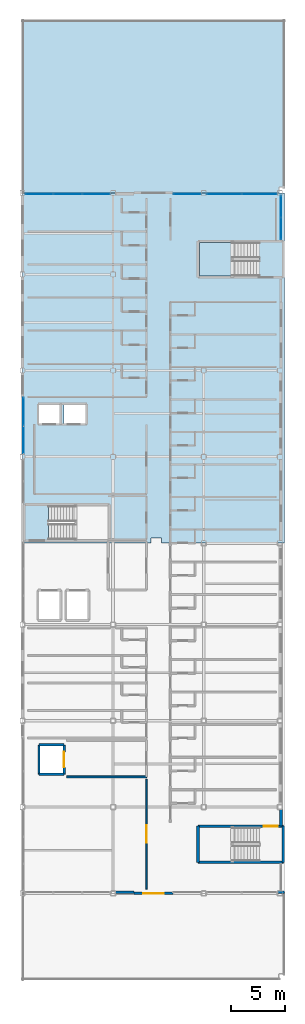
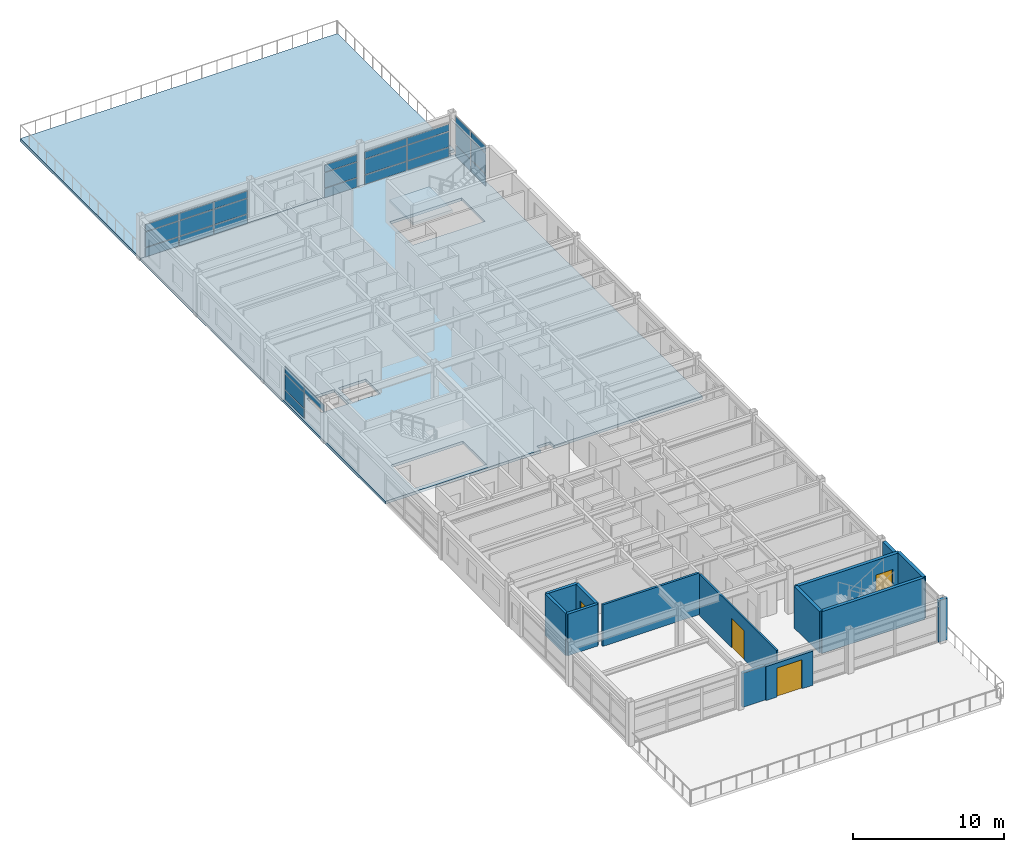
# One storey, part 19 of 28: 28 plates, 14 walls, 4 doors, 3 slabs, 4 openings, 6 elements without a shape of their own.
"""IFC4 building model written with IfcOpenShell, lengths in metres."""

import ifcopenshell
import ifcopenshell.guid

model = None  # the IFC model being written
_history = None  # IfcOwnerHistory: only IFC2X3 demands one
_inside = {}  # id of a spatial element -> (the spatial element, [elements in it])
_under = {}  # id of a project, library or spatial element -> (it, [spatial elements below it])
_declared = {}  # id of a project -> (the project, [libraries it declares])
_typed = {}  # id of a type object -> (the type object, [elements of that type])
_made_of = {}  # id of a material, layer set ... -> (it, [elements and type objects made of it])


def new_model(schema):
    """Start an empty IFC model of exactly this schema.

    Asked for "IFC4X3", IfcOpenShell would pick the latest addendum, in which some entities
    have other attributes; the version numbers below select the first issue.
    IFC2X3 requires an IfcOwnerHistory on every rooted entity: one is made here for all.
    """
    global model, _history
    if schema == "IFC4X3":
        model = ifcopenshell.file(schema_version=(4, 3, 0, 0))
    else:
        model = ifcopenshell.file(schema=schema)
    _inside.clear()
    _under.clear()
    _declared.clear()
    _typed.clear()
    _made_of.clear()
    _history = None
    if model.schema == "IFC2X3":
        org = make("IfcOrganization", Name="unknown")
        user = make(
            "IfcPersonAndOrganization",
            ThePerson=make("IfcPerson", FamilyName="unknown"),
            TheOrganization=org,
        )
        app = make(
            "IfcApplication",
            ApplicationDeveloper=org,
            Version="unknown",
            ApplicationFullName="unknown",
            ApplicationIdentifier="unknown",
        )
        _history = make(
            "IfcOwnerHistory",
            OwningUser=user,
            OwningApplication=app,
            ChangeAction="ADDED",
            CreationDate=0,
        )
    return model


def make(cls, **values):
    """One entity of the class cls with the attributes given. An attribute that is None is left unset."""
    return model.create_entity(
        cls, **{name: value for name, value in values.items() if value is not None}
    )


def rooted(cls, **values):
    """An entity with a GlobalId (a new one), such as an element, a storey or a relation."""
    return make(cls, GlobalId=ifcopenshell.guid.new(), OwnerHistory=_history, **values)


def si_unit(unit_type, name, prefix=None):
    """IfcSIUnit, for example si_unit("LENGTHUNIT", "METRE", prefix="MILLI")."""
    return make("IfcSIUnit", UnitType=unit_type, Prefix=prefix, Name=name)


def assignment(units):
    """IfcUnitAssignment: the units of a project."""
    return None if units is None else make("IfcUnitAssignment", Units=units)


def point(xyz):
    """IfcCartesianPoint."""
    return None if xyz is None else make("IfcCartesianPoint", Coordinates=xyz)


def direction(xyz):
    """IfcDirection."""
    return None if xyz is None else make("IfcDirection", DirectionRatios=xyz)


def frame(location, z_axis=None, x_axis=None):
    """IfcAxis2Placement3D, a coordinate frame: its origin and axes. An axis left out is left unset."""
    return make(
        "IfcAxis2Placement3D",
        Location=point(location),
        Axis=direction(z_axis),
        RefDirection=direction(x_axis),
    )


def frame_2d(location, x_axis=None):
    """IfcAxis2Placement2D, a coordinate frame in the plane: its origin and x axis."""
    return make(
        "IfcAxis2Placement2D", Location=point(location), RefDirection=direction(x_axis)
    )


def origin():
    """The frame at (0, 0, 0) with its axes left unset."""
    return frame((0.0, 0.0, 0.0))


def origin_2d():
    """The frame at (0, 0) in the plane with its x axis left unset."""
    return frame_2d((0.0, 0.0))


def place(relative_to, where):
    """IfcLocalPlacement: puts the frame where relative to a parent placement (None: the world)."""
    return make(
        "IfcLocalPlacement", PlacementRelTo=relative_to, RelativePlacement=where
    )


def context(
    kind, dimensions, precision=None, world=None, true_north=None, identifier=None
):
    """IfcGeometricRepresentationContext, for example the 3D "Model" context."""
    return make(
        "IfcGeometricRepresentationContext",
        ContextIdentifier=identifier,
        ContextType=kind,
        CoordinateSpaceDimension=dimensions,
        Precision=precision,
        WorldCoordinateSystem=world,
        TrueNorth=true_north,
    )


def subcontext(parent, identifier, kind, view, scale=None):
    """IfcGeometricRepresentationSubContext, for example "Body" below "Model"."""
    return make(
        "IfcGeometricRepresentationSubContext",
        ContextIdentifier=identifier,
        ContextType=kind,
        ParentContext=parent,
        TargetScale=scale,
        TargetView=view,
    )


def project(units=None, contexts=None):
    """IfcProject with its units and contexts."""
    return rooted(
        "IfcProject",
        Name="project",
        RepresentationContexts=contexts,
        UnitsInContext=assignment(units),
    )


def spatial(cls, under=None, at=None, **own):
    """A site, building, storey or space (cls), placed at a placement, below another one or the project."""
    s = rooted(cls, ObjectPlacement=at, **own)
    if under is not None:
        _under.setdefault(under.id(), (under, []))[1].append(s)
    return s


def polyline(points):
    """IfcPolyline through the points."""
    return make("IfcPolyline", Points=[point(p) for p in points])


def profile(cls, at=None, kind="AREA", **sizes):
    """A parametric profile (cls). Its sizes go by their IFC names, for example OverallWidth=200.0."""
    return make(cls, ProfileType=kind, Position=at, **sizes)


def rectangle(**sizes):
    """IfcRectangleProfileDef."""
    return profile("IfcRectangleProfileDef", **sizes)


def outline(outer, holes=None, kind="AREA"):
    """IfcArbitraryClosedProfileDef: a profile drawn as a closed curve; with holes, ...WithVoids."""
    if holes is None:
        return make("IfcArbitraryClosedProfileDef", ProfileType=kind, OuterCurve=outer)
    return make(
        "IfcArbitraryProfileDefWithVoids",
        ProfileType=kind,
        OuterCurve=outer,
        InnerCurves=holes,
    )


def extrude(swept, where, along, depth):
    """IfcExtrudedAreaSolid: the profile swept, set in the frame where, extruded along a direction by depth."""
    return make(
        "IfcExtrudedAreaSolid",
        SweptArea=swept,
        Position=where,
        ExtrudedDirection=direction(along),
        Depth=depth,
    )


def shape(context_of_items, identifier, shape_type, items):
    """IfcShapeRepresentation: the items that make up one representation, for example the "Body"."""
    return make(
        "IfcShapeRepresentation",
        ContextOfItems=context_of_items,
        RepresentationIdentifier=identifier,
        RepresentationType=shape_type,
        Items=items,
    )


def material(Name=None, Category=None):
    """IfcMaterial."""
    return make("IfcMaterial", Name=Name, Category=Category)


def layer(
    of_material, thickness, ventilated=None, Name=None, Category=None, Priority=None
):
    """IfcMaterialLayer: one layer of a wall or slab, of a material (None: an air gap)."""
    return make(
        "IfcMaterialLayer",
        Material=of_material,
        LayerThickness=thickness,
        IsVentilated=ventilated,
        Name=Name,
        Category=Category,
        Priority=Priority,
    )


def layer_set(layers, Name=None):
    """IfcMaterialLayerSet."""
    return make("IfcMaterialLayerSet", MaterialLayers=layers, LayerSetName=Name)


def made_of(thing, what):
    """Note that an element or type object is made of a material, layer set ...; save() writes the relation."""
    if what is not None:
        _made_of.setdefault(what.id(), (what, []))[1].append(thing)
    return thing


def type_object(cls, material=None, **own):
    """A type object (cls), such as IfcWallType, which elements share."""
    return made_of(rooted(cls, **own), material)


def element(
    cls,
    number,
    at=None,
    inside=None,
    cuts=None,
    type_object=None,
    material=None,
    context=None,
    identifier="Body",
    shape_type=None,
    held_by="IfcProductDefinitionShape",
    body=None,
    shapes=None,
    **own,
):
    """One element of the class cls, such as IfcWall. Its Tag is "e" and its number.

    at: its placement. inside: the storey or other place that contains it. cuts: it is an
    opening in that element (IfcRelVoidsElement). A single representation is given by context,
    identifier, shape_type and body (its items); several are given by shapes. held_by: the class
    of the entity that holds the representations. save() writes the other relations.
    """
    e = rooted(cls, Tag="e%d" % number, ObjectPlacement=at, **own)
    if body is not None:
        shapes = [shape(context, identifier, shape_type, body)]
    if shapes is not None:
        e.Representation = make(held_by, Representations=shapes)
    if inside is not None:
        _inside.setdefault(inside.id(), (inside, []))[1].append(e)
    if cuts is not None:
        rooted(
            "IfcRelVoidsElement", RelatingBuildingElement=cuts, RelatedOpeningElement=e
        )
    if type_object is not None:
        _typed.setdefault(type_object.id(), (type_object, []))[1].append(e)
    return made_of(e, material)


def fill(opening, filler):
    """IfcRelFillsElement: the door or window that sits in an opening."""
    return rooted(
        "IfcRelFillsElement",
        RelatingOpeningElement=opening,
        RelatedBuildingElement=filler,
    )


def aggregate(whole, parts):
    """IfcRelAggregates: a whole, such as a stair, and the parts it consists of."""
    return rooted("IfcRelAggregates", RelatingObject=whole, RelatedObjects=parts)


def save(model, path):
    """Write the relations noted so far, then the file.

    IfcRelAggregates (storeys below a building ...), IfcRelContainedInSpatialStructure (elements
    in a storey), IfcRelDefinesByType, IfcRelAssociatesMaterial and IfcRelDeclares: one each for
    every whole, place, type object, material and project.
    """
    for whole, parts in _under.values():
        aggregate(whole, parts)
    for where, things in _inside.values():
        rooted(
            "IfcRelContainedInSpatialStructure",
            RelatedElements=things,
            RelatingStructure=where,
        )
    for kind, things in _typed.values():
        rooted("IfcRelDefinesByType", RelatedObjects=things, RelatingType=kind)
    for what, things in _made_of.values():
        rooted("IfcRelAssociatesMaterial", RelatedObjects=things, RelatingMaterial=what)
    for by, libraries in _declared.values():
        rooted("IfcRelDeclares", RelatingContext=by, RelatedDefinitions=libraries)
    model.write(path)


model = new_model("IFC4")

# Units and contexts
model_context = context("Model", 3, precision=1e-05, world=origin(), true_north=direction((0.0, 1.0)))
body_context = subcontext(model_context, "Body", "Model", "MODEL_VIEW")
ifc_project = project(units=[si_unit("LENGTHUNIT", "METRE"), si_unit("AREAUNIT", "SQUARE_METRE"), si_unit("VOLUMEUNIT", "CUBIC_METRE"), si_unit("PLANEANGLEUNIT", "RADIAN"), si_unit("MASSUNIT", "GRAM", prefix="KILO")], contexts=[model_context])

# Site, building, storey
site_placement = place(None, origin())
site = spatial("IfcSite", under=ifc_project, at=site_placement, CompositionType="ELEMENT")
building_placement = place(site_placement, origin())
building = spatial("IfcBuilding", under=site, at=building_placement, Name="Kazehara Bluff Congress Hotel", CompositionType="ELEMENT")
storey_placement = place(building_placement, frame((0.0, 0.0, 42.60009765625)))
storey = spatial("IfcBuildingStorey", under=building, at=storey_placement, Name="L10", CompositionType="ELEMENT", Elevation=42.60009765625)

# Curtain wall, plates
ifc_material_1 = material(Name="Anodised aluminium", Category="aluminium")
ifc_layer_1 = layer(ifc_material_1, 0.159912109375)
ifc_layer_set_1 = layer_set([ifc_layer_1], Name="Anodised aluminium")
curtain_wall_type_1 = type_object("IfcCurtainWallType", Name="TP-CW-196", PredefinedType="NOTDEFINED", material=ifc_layer_set_1)
curtain_wall_1_placement = place(storey_placement, origin())
curtain_wall_1 = element("IfcCurtainWall", 1, at=curtain_wall_1_placement, inside=storey, type_object=curtain_wall_type_1, Name="L10 curtain wall CW-196 CW-ENC-V5-L10-14790-8080", PredefinedType="NOTDEFINED")
ifc_material_2 = material(Name="Insulated low-E double glazing", Category="glass")
ifc_layer_2 = layer(ifc_material_2, 0.028076171875)
ifc_layer_set_2 = layer_set([ifc_layer_2], Name="Insulated low-E double glazing")
plate_type_1 = type_object("IfcPlateType", Name="TP-CWP-01", PredefinedType="CURTAIN_PANEL", material=ifc_layer_set_2)
plate_1_placement = place(storey_placement, frame((145.266357421875, 80.800048828125, 0.06494140625), z_axis=(0.0, 0.0, 1.0), x_axis=(1.0, 0.0, 0.0)))
plate_1 = element("IfcPlate", 2, at=plate_1_placement, type_object=plate_type_1, Name="CW-196 panel 1.1", PredefinedType="CURTAIN_PANEL", context=body_context, shape_type="SweptSolid", body=[
    extrude(rectangle(XDim=2.552490234375, YDim=0.028076171875, at=origin_2d()), origin(), (0.0, 0.0, 1.0), 0.7275390625),
])
plate_2_placement = place(storey_placement, frame((145.266357421875, 80.800048828125, 0.857421875), z_axis=(0.0, 0.0, 1.0), x_axis=(1.0, 0.0, 0.0)))
plate_2 = element("IfcPlate", 3, at=plate_2_placement, type_object=plate_type_1, Name="CW-196 panel 1.2", PredefinedType="CURTAIN_PANEL", context=body_context, shape_type="SweptSolid", body=[
    extrude(rectangle(XDim=2.552490234375, YDim=0.028076171875, at=origin_2d()), origin(), (0.0, 0.0, 1.0), 1.215087890625),
])
plate_3_placement = place(storey_placement, frame((145.266357421875, 80.800048828125, 2.13720703125), z_axis=(0.0, 0.0, 1.0), x_axis=(1.0, 0.0, 0.0)))
plate_3 = element("IfcPlate", 4, at=plate_3_placement, type_object=plate_type_1, Name="CW-196 panel 1.3", PredefinedType="CURTAIN_PANEL", context=body_context, shape_type="SweptSolid", body=[
    extrude(rectangle(XDim=2.552490234375, YDim=0.028076171875, at=origin_2d()), origin(), (0.0, 0.0, 1.0), 0.552490234375),
])
plate_4_placement = place(storey_placement, frame((147.89990234375, 80.800048828125, 0.06494140625), z_axis=(0.0, 0.0, 1.0), x_axis=(1.0, 0.0, 0.0)))
plate_4 = element("IfcPlate", 5, at=plate_4_placement, type_object=plate_type_1, Name="CW-196 panel 2.1", PredefinedType="CURTAIN_PANEL", context=body_context, shape_type="SweptSolid", body=[
    extrude(rectangle(XDim=2.5849609375, YDim=0.028076171875, at=origin_2d()), origin(), (0.0, 0.0, 1.0), 0.7275390625),
])
plate_5_placement = place(storey_placement, frame((147.89990234375, 80.800048828125, 0.857421875), z_axis=(0.0, 0.0, 1.0), x_axis=(1.0, 0.0, 0.0)))
plate_5 = element("IfcPlate", 6, at=plate_5_placement, type_object=plate_type_1, Name="CW-196 panel 2.2", PredefinedType="CURTAIN_PANEL", context=body_context, shape_type="SweptSolid", body=[
    extrude(rectangle(XDim=2.5849609375, YDim=0.028076171875, at=origin_2d()), origin(), (0.0, 0.0, 1.0), 1.215087890625),
])
plate_6_placement = place(storey_placement, frame((147.89990234375, 80.800048828125, 2.13720703125), z_axis=(0.0, 0.0, 1.0), x_axis=(1.0, 0.0, 0.0)))
plate_6 = element("IfcPlate", 7, at=plate_6_placement, type_object=plate_type_1, Name="CW-196 panel 2.3", PredefinedType="CURTAIN_PANEL", context=body_context, shape_type="SweptSolid", body=[
    extrude(rectangle(XDim=2.5849609375, YDim=0.028076171875, at=origin_2d()), origin(), (0.0, 0.0, 1.0), 0.552490234375),
])
plate_7_placement = place(storey_placement, frame((150.53369140625, 80.800048828125, 0.06494140625), z_axis=(0.0, 0.0, 1.0), x_axis=(1.0, 0.0, 0.0)))
plate_7 = element("IfcPlate", 8, at=plate_7_placement, type_object=plate_type_1, Name="CW-196 panel 3.1", PredefinedType="CURTAIN_PANEL", context=body_context, shape_type="SweptSolid", body=[
    extrude(rectangle(XDim=2.552490234375, YDim=0.028076171875, at=origin_2d()), origin(), (0.0, 0.0, 1.0), 0.7275390625),
])
plate_8_placement = place(storey_placement, frame((150.53369140625, 80.800048828125, 0.857421875), z_axis=(0.0, 0.0, 1.0), x_axis=(1.0, 0.0, 0.0)))
plate_8 = element("IfcPlate", 9, at=plate_8_placement, type_object=plate_type_1, Name="CW-196 panel 3.2", PredefinedType="CURTAIN_PANEL", context=body_context, shape_type="SweptSolid", body=[
    extrude(rectangle(XDim=2.552490234375, YDim=0.028076171875, at=origin_2d()), origin(), (0.0, 0.0, 1.0), 1.215087890625),
])
plate_9_placement = place(storey_placement, frame((150.53369140625, 80.800048828125, 2.13720703125), z_axis=(0.0, 0.0, 1.0), x_axis=(1.0, 0.0, 0.0)))
plate_9 = element("IfcPlate", 10, at=plate_9_placement, type_object=plate_type_1, Name="CW-196 panel 3.3", PredefinedType="CURTAIN_PANEL", context=body_context, shape_type="SweptSolid", body=[
    extrude(rectangle(XDim=2.552490234375, YDim=0.028076171875, at=origin_2d()), origin(), (0.0, 0.0, 1.0), 0.552490234375),
])
aggregate(curtain_wall_1, [plate_1, plate_2, plate_3, plate_4, plate_5, plate_6, plate_7, plate_8, plate_9])

ifc_material_3 = material(Name="Anodised aluminium", Category="aluminium")
ifc_layer_3 = layer(ifc_material_3, 0.159912109375)
ifc_layer_set_3 = layer_set([ifc_layer_3], Name="Anodised aluminium")
curtain_wall_type_2 = type_object("IfcCurtainWallType", Name="TP-CW-188", PredefinedType="NOTDEFINED", material=ifc_layer_set_3)
curtain_wall_2_placement = place(storey_placement, origin())
curtain_wall_2 = element("IfcCurtainWall", 11, at=curtain_wall_2_placement, inside=storey, type_object=curtain_wall_type_2, Name="L10 curtain wall CW-188 CW-ENC-V5-L10-16402-8080", PredefinedType="NOTDEFINED")
plate_10_placement = place(storey_placement, frame((162.391357421875, 80.800048828125, 0.06494140625), z_axis=(0.0, 0.0, 1.0), x_axis=(1.0, 0.0, 0.0)))
plate_10 = element("IfcPlate", 12, at=plate_10_placement, type_object=plate_type_1, Name="CW-188 panel 1.1", PredefinedType="CURTAIN_PANEL", context=body_context, shape_type="SweptSolid", body=[
    extrude(rectangle(XDim=3.202392578125, YDim=0.028076171875, at=origin_2d()), origin(), (0.0, 0.0, 1.0), 0.7275390625),
])
plate_11_placement = place(storey_placement, frame((162.391357421875, 80.800048828125, 0.857421875), z_axis=(0.0, 0.0, 1.0), x_axis=(1.0, 0.0, 0.0)))
plate_11 = element("IfcPlate", 13, at=plate_11_placement, type_object=plate_type_1, Name="CW-188 panel 1.2", PredefinedType="CURTAIN_PANEL", context=body_context, shape_type="SweptSolid", body=[
    extrude(rectangle(XDim=3.202392578125, YDim=0.028076171875, at=origin_2d()), origin(), (0.0, 0.0, 1.0), 1.215087890625),
])
plate_12_placement = place(storey_placement, frame((162.391357421875, 80.800048828125, 2.13720703125), z_axis=(0.0, 0.0, 1.0), x_axis=(1.0, 0.0, 0.0)))
plate_12 = element("IfcPlate", 14, at=plate_12_placement, type_object=plate_type_1, Name="CW-188 panel 1.3", PredefinedType="CURTAIN_PANEL", context=body_context, shape_type="SweptSolid", body=[
    extrude(rectangle(XDim=3.202392578125, YDim=0.028076171875, at=origin_2d()), origin(), (0.0, 0.0, 1.0), 0.552490234375),
])
plate_13_placement = place(storey_placement, frame((165.65869140625, 80.800048828125, 0.06494140625), z_axis=(0.0, 0.0, 1.0), x_axis=(1.0, 0.0, 0.0)))
plate_13 = element("IfcPlate", 15, at=plate_13_placement, type_object=plate_type_1, Name="CW-188 panel 2.1", PredefinedType="CURTAIN_PANEL", context=body_context, shape_type="SweptSolid", body=[
    extrude(rectangle(XDim=3.202392578125, YDim=0.028076171875, at=origin_2d()), origin(), (0.0, 0.0, 1.0), 0.7275390625),
])
plate_14_placement = place(storey_placement, frame((165.65869140625, 80.800048828125, 0.857421875), z_axis=(0.0, 0.0, 1.0), x_axis=(1.0, 0.0, 0.0)))
plate_14 = element("IfcPlate", 16, at=plate_14_placement, type_object=plate_type_1, Name="CW-188 panel 2.2", PredefinedType="CURTAIN_PANEL", context=body_context, shape_type="SweptSolid", body=[
    extrude(rectangle(XDim=3.202392578125, YDim=0.028076171875, at=origin_2d()), origin(), (0.0, 0.0, 1.0), 1.215087890625),
])
plate_15_placement = place(storey_placement, frame((165.65869140625, 80.800048828125, 2.13720703125), z_axis=(0.0, 0.0, 1.0), x_axis=(1.0, 0.0, 0.0)))
plate_15 = element("IfcPlate", 17, at=plate_15_placement, type_object=plate_type_1, Name="CW-188 panel 2.3", PredefinedType="CURTAIN_PANEL", context=body_context, shape_type="SweptSolid", body=[
    extrude(rectangle(XDim=3.202392578125, YDim=0.028076171875, at=origin_2d()), origin(), (0.0, 0.0, 1.0), 0.552490234375),
])
aggregate(curtain_wall_2, [plate_10, plate_11, plate_12, plate_13, plate_14, plate_15])

ifc_material_4 = material(Name="Anodised aluminium", Category="aluminium")
ifc_layer_4 = layer(ifc_material_4, 0.159912109375)
ifc_layer_set_4 = layer_set([ifc_layer_4], Name="Anodised aluminium")
curtain_wall_type_3 = type_object("IfcCurtainWallType", Name="TP-CW-205", PredefinedType="NOTDEFINED", material=ifc_layer_set_4)
curtain_wall_3_placement = place(storey_placement, origin())
curtain_wall_3 = element("IfcCurtainWall", 18, at=curtain_wall_3_placement, inside=storey, type_object=curtain_wall_type_3, Name="L10 curtain wall CW-205 CW-ENC-V5-L10-14380-5934", PredefinedType="NOTDEFINED")
plate_16_placement = place(storey_placement, frame((143.800048828125, 58.021240234375, 2.184814453125), z_axis=(0.0, 0.0, 1.0), x_axis=(0.0, 1.0, 0.0)))
plate_16 = element("IfcPlate", 19, at=plate_16_placement, type_object=plate_type_1, Name="CW-205 panel 1.3", PredefinedType="CURTAIN_PANEL", context=body_context, shape_type="SweptSolid", body=[
    extrude(rectangle(XDim=2.572509765625, YDim=0.028076171875, at=origin_2d()), origin(), (0.0, 0.0, 1.0), 0.56005859375),
])
plate_17_placement = place(storey_placement, frame((143.800048828125, 60.65380859375, 0.059814453125), z_axis=(0.0, 0.0, 1.0), x_axis=(0.0, 1.0, 0.0)))
plate_17 = element("IfcPlate", 20, at=plate_17_placement, type_object=plate_type_1, Name="CW-205 panel 2.1", PredefinedType="CURTAIN_PANEL", context=body_context, shape_type="SweptSolid", body=[
    extrude(rectangle(XDim=2.572509765625, YDim=0.028076171875, at=origin_2d()), origin(), (0.0, 0.0, 1.0), 0.75),
])
plate_18_placement = place(storey_placement, frame((143.800048828125, 60.65380859375, 0.869873046875), z_axis=(0.0, 0.0, 1.0), x_axis=(0.0, 1.0, 0.0)))
plate_18 = element("IfcPlate", 21, at=plate_18_placement, type_object=plate_type_1, Name="CW-205 panel 2.2", PredefinedType="CURTAIN_PANEL", context=body_context, shape_type="SweptSolid", body=[
    extrude(rectangle(XDim=2.572509765625, YDim=0.028076171875, at=origin_2d()), origin(), (0.0, 0.0, 1.0), 1.2548828125),
])
plate_19_placement = place(storey_placement, frame((143.800048828125, 60.65380859375, 2.184814453125), z_axis=(0.0, 0.0, 1.0), x_axis=(0.0, 1.0, 0.0)))
plate_19 = element("IfcPlate", 22, at=plate_19_placement, type_object=plate_type_1, Name="CW-205 panel 2.3", PredefinedType="CURTAIN_PANEL", context=body_context, shape_type="SweptSolid", body=[
    extrude(rectangle(XDim=2.572509765625, YDim=0.028076171875, at=origin_2d()), origin(), (0.0, 0.0, 1.0), 0.56005859375),
])
aggregate(curtain_wall_3, [plate_16, plate_17, plate_18, plate_19])

ifc_material_5 = material(Name="Anodised aluminium", Category="aluminium")
ifc_layer_5 = layer(ifc_material_5, 0.159912109375)
ifc_layer_set_5 = layer_set([ifc_layer_5], Name="Anodised aluminium")
curtain_wall_type_4 = type_object("IfcCurtainWallType", Name="TP-CW-200", PredefinedType="NOTDEFINED", material=ifc_layer_set_5)
curtain_wall_4_placement = place(storey_placement, origin())
curtain_wall_4 = element("IfcCurtainWall", 23, at=curtain_wall_4_placement, inside=storey, type_object=curtain_wall_type_4, Name="L10 curtain wall CW-200 CW-ENC-V5-L10-16765-7862", PredefinedType="NOTDEFINED")
ifc_material_6 = material(Name="Insulated low-E double glazing", Category="glass")
ifc_layer_6 = layer(ifc_material_6, 0.02001953125)
ifc_layer_set_6 = layer_set([ifc_layer_6], Name="Insulated low-E double glazing")
plate_type_2 = type_object("IfcPlateType", Name="TP-CWP-03", PredefinedType="CURTAIN_PANEL", material=ifc_layer_set_6)
plate_20_placement = place(storey_placement, frame((167.64990234375, 79.63134765625, 0.06005859375), z_axis=(0.0, 0.0, 1.0), x_axis=(0.0, -1.0, 0.0)))
plate_20 = element("IfcPlate", 24, at=plate_20_placement, type_object=plate_type_2, Name="CW-200 panel 1.1", PredefinedType="CURTAIN_PANEL", context=body_context, shape_type="SweptSolid", body=[
    extrude(rectangle(XDim=1.967529296875, YDim=0.02001953125, at=origin_2d()), origin(), (0.0, 0.0, 1.0), 0.919921875),
])
plate_21_placement = place(storey_placement, frame((167.64990234375, 79.63134765625, 1.039794921875), z_axis=(0.0, 0.0, 1.0), x_axis=(0.0, -1.0, 0.0)))
plate_21 = element("IfcPlate", 25, at=plate_21_placement, type_object=plate_type_2, Name="CW-200 panel 1.2", PredefinedType="CURTAIN_PANEL", context=body_context, shape_type="SweptSolid", body=[
    extrude(rectangle(XDim=1.967529296875, YDim=0.02001953125, at=origin_2d()), origin(), (0.0, 0.0, 1.0), 1.64501953125),
])
plate_22_placement = place(storey_placement, frame((167.64990234375, 79.63134765625, 2.744873046875), z_axis=(0.0, 0.0, 1.0), x_axis=(0.0, -1.0, 0.0)))
plate_22 = element("IfcPlate", 26, at=plate_22_placement, type_object=plate_type_2, Name="CW-200 panel 1.3", PredefinedType="CURTAIN_PANEL", context=body_context, shape_type="SweptSolid", body=[
    extrude(rectangle(XDim=1.967529296875, YDim=0.02001953125, at=origin_2d()), origin(), (0.0, 0.0, 1.0), 0.56005859375),
])
plate_23_placement = place(storey_placement, frame((167.64990234375, 77.603759765625, 0.06005859375), z_axis=(0.0, 0.0, 1.0), x_axis=(0.0, -1.0, 0.0)))
plate_23 = element("IfcPlate", 27, at=plate_23_placement, type_object=plate_type_2, Name="CW-200 panel 2.1", PredefinedType="CURTAIN_PANEL", context=body_context, shape_type="SweptSolid", body=[
    extrude(rectangle(XDim=1.967529296875, YDim=0.02001953125, at=origin_2d()), origin(), (0.0, 0.0, 1.0), 0.919921875),
])
plate_24_placement = place(storey_placement, frame((167.64990234375, 77.603759765625, 1.039794921875), z_axis=(0.0, 0.0, 1.0), x_axis=(0.0, -1.0, 0.0)))
plate_24 = element("IfcPlate", 28, at=plate_24_placement, type_object=plate_type_2, Name="CW-200 panel 2.2", PredefinedType="CURTAIN_PANEL", context=body_context, shape_type="SweptSolid", body=[
    extrude(rectangle(XDim=1.967529296875, YDim=0.02001953125, at=origin_2d()), origin(), (0.0, 0.0, 1.0), 1.64501953125),
])
plate_25_placement = place(storey_placement, frame((167.64990234375, 77.603759765625, 2.744873046875), z_axis=(0.0, 0.0, 1.0), x_axis=(0.0, -1.0, 0.0)))
plate_25 = element("IfcPlate", 29, at=plate_25_placement, type_object=plate_type_2, Name="CW-200 panel 2.3", PredefinedType="CURTAIN_PANEL", context=body_context, shape_type="SweptSolid", body=[
    extrude(rectangle(XDim=1.967529296875, YDim=0.02001953125, at=origin_2d()), origin(), (0.0, 0.0, 1.0), 0.56005859375),
])
aggregate(curtain_wall_4, [plate_20, plate_21, plate_22, plate_23, plate_24, plate_25])

ifc_material_7 = material(Name="Anodised aluminium", Category="aluminium")
ifc_layer_7 = layer(ifc_material_7, 0.159912109375)
ifc_layer_set_7 = layer_set([ifc_layer_7], Name="Anodised aluminium")
curtain_wall_type_5 = type_object("IfcCurtainWallType", Name="TP-CW-197", PredefinedType="NOTDEFINED", material=ifc_layer_set_7)
curtain_wall_5_placement = place(storey_placement, origin())
curtain_wall_5 = element("IfcCurtainWall", 30, at=curtain_wall_5_placement, inside=storey, type_object=curtain_wall_type_5, Name="L10 curtain wall CW-197 CW-ENC-V5-L10-15896-8080", PredefinedType="NOTDEFINED")
plate_26_placement = place(storey_placement, frame((158.96240234375, 80.800048828125, 0.06005859375), z_axis=(0.0, 0.0, 1.0), x_axis=(1.0, 0.0, 0.0)))
plate_26 = element("IfcPlate", 31, at=plate_26_placement, type_object=plate_type_2, Name="CW-197 panel 1.1", PredefinedType="CURTAIN_PANEL", context=body_context, shape_type="SweptSolid", body=[
    extrude(rectangle(XDim=2.5048828125, YDim=0.02001953125, at=origin_2d()), origin(), (0.0, 0.0, 1.0), 0.735107421875),
])
plate_27_placement = place(storey_placement, frame((158.96240234375, 80.800048828125, 0.85498046875), z_axis=(0.0, 0.0, 1.0), x_axis=(1.0, 0.0, 0.0)))
plate_27 = element("IfcPlate", 32, at=plate_27_placement, type_object=plate_type_2, Name="CW-197 panel 1.2", PredefinedType="CURTAIN_PANEL", context=body_context, shape_type="SweptSolid", body=[
    extrude(rectangle(XDim=2.5048828125, YDim=0.02001953125, at=origin_2d()), origin(), (0.0, 0.0, 1.0), 1.219970703125),
])
plate_28_placement = place(storey_placement, frame((158.96240234375, 80.800048828125, 2.134765625), z_axis=(0.0, 0.0, 1.0), x_axis=(1.0, 0.0, 0.0)))
plate_28 = element("IfcPlate", 33, at=plate_28_placement, type_object=plate_type_2, Name="CW-197 panel 1.3", PredefinedType="CURTAIN_PANEL", context=body_context, shape_type="SweptSolid", body=[
    extrude(rectangle(XDim=2.5048828125, YDim=0.02001953125, at=origin_2d()), origin(), (0.0, 0.0, 1.0), 0.56005859375),
])
aggregate(curtain_wall_5, [plate_26, plate_27, plate_28])

# Slabs
ifc_material_8 = material(Name="Concrete C36/45", Category="concrete")
ifc_layer_8 = layer(ifc_material_8, 0.219970703125)
ifc_layer_set_8 = layer_set([ifc_layer_8], Name="Concrete C36/45")
slab_type_1 = type_object("IfcSlabType", Name="TP-SL-220", PredefinedType="FLOOR", material=ifc_layer_set_8)
slab_1_placement = place(storey_placement, frame((0.0, 0.0, -0.22021484375)))
element("IfcSlab", 34, at=slab_1_placement, inside=storey, type_object=slab_type_1, Name="L10 V5 composite floor slab N", PredefinedType="FLOOR", context=body_context, shape_type="SweptSolid", body=[
    extrude(outline(polyline([(168.0, 80.89990234375), (168.0, 48.449951171875), (156.60009765625, 48.449951171875), (156.60009765625, 48.949951171875), (155.60009765625, 48.949951171875), (155.60009765625, 48.449951171875), (143.699951171875, 48.449951171875), (143.699951171875, 80.89990234375), (168.0, 80.89990234375)]), holes=[polyline([(146.125, 48.800048828125), (151.64990234375, 48.800048828125), (151.64990234375, 51.89990234375), (146.125, 51.89990234375), (146.125, 48.800048828125)]), polyline([(165.625, 76.300048828125), (160.10009765625, 76.300048828125), (160.10009765625, 73.199951171875), (165.625, 73.199951171875), (165.625, 76.300048828125)]), polyline([(145.14990234375, 59.449951171875), (147.25, 59.449951171875), (147.25, 61.35009765625), (145.14990234375, 61.35009765625), (145.14990234375, 59.449951171875)]), polyline([(147.550048828125, 59.449951171875), (149.64990234375, 59.449951171875), (149.64990234375, 61.35009765625), (147.550048828125, 61.35009765625), (147.550048828125, 59.449951171875)])]), origin(), (0.0, 0.0, 1.0), 0.22021484375),
])
ifc_material_9 = material(Name="Concrete C36/45", Category="concrete")
ifc_layer_9 = layer(ifc_material_9, 0.219970703125)
ifc_layer_set_9 = layer_set([ifc_layer_9], Name="Concrete C36/45")
slab_type_2 = type_object("IfcSlabType", Name="TP-SL-TER", PredefinedType="FLOOR", material=ifc_layer_set_9)
slab_2_placement = place(storey_placement, frame((0.0, 0.0, -0.22021484375)))
element("IfcSlab", 35, at=slab_2_placement, inside=storey, type_object=slab_type_2, Name="Executive North Sky Terrace", PredefinedType="FLOOR", context=body_context, shape_type="SweptSolid", body=[
    extrude(outline(polyline([(143.699951171875, 80.89990234375), (167.5, 80.89990234375), (167.5, 81.39990234375), (168.0, 81.39990234375), (168.0, 96.89990234375), (143.699951171875, 96.89990234375), (143.699951171875, 80.89990234375)])), origin(), (0.0, 0.0, 1.0), 0.22021484375),
])

# Stair, slab
ifc_material_10 = material(Name="Concrete C36/45", Category="concrete")
stair_type = type_object("IfcStairType", Name="TP-ST-T03", PredefinedType="HALF_TURN_STAIR", material=ifc_material_10)
stair_placement = place(storey_placement, origin())
stair = element("IfcStair", 36, at=stair_placement, inside=storey, type_object=stair_type, Name="L10 Escape stair ST-12", PredefinedType="HALF_TURN_STAIR")
ifc_material_11 = material(Name="Concrete C36/45", Category="concrete")
ifc_layer_10 = layer(ifc_material_11, 0.199951171875)
ifc_layer_set_10 = layer_set([ifc_layer_10], Name="Concrete C36/45")
slab_type_3 = type_object("IfcSlabType", Name="TP-SLD-200", PredefinedType="LANDING", material=ifc_layer_set_10)
slab_3_placement = place(storey_placement, frame((0.0, 0.0, 1.599853515625)))
slab_3 = element("IfcSlab", 37, at=slab_3_placement, type_object=slab_type_3, Name="ST-12 landing 1", PredefinedType="LANDING", context=body_context, shape_type="SweptSolid", body=[
    extrude(outline(polyline([(163.1298828125, 76.300048828125), (160.10009765625, 76.300048828125), (160.10009765625, 73.199951171875), (163.1298828125, 73.199951171875), (163.1298828125, 76.300048828125)])), origin(), (0.0, 0.0, 1.0), 0.199951171875),
])
aggregate(stair, [slab_3])

# Walls
ifc_material_12 = material(Name="Concrete C40/50", Category="concrete")
ifc_layer_11 = layer(ifc_material_12, 0.25)
ifc_layer_set_11 = layer_set([ifc_layer_11], Name="Concrete C40/50")
wall_type_1 = type_object("IfcWallType", Name="TP-CW-RC", PredefinedType="SHEAR", material=ifc_layer_set_11)
for number, where, z_axis, x_axis, name in (
    (38, (167.875, 22.22509765625, 0.0), (0.0, 0.0, 1.0), (0.0, -1.0, 0.0), "L10 ST-10 core wall near"),
    (39, (159.97509765625, 18.875, 0.0), (0.0, 0.0, 1.0), (0.0, 1.0, 0.0), "L10 ST-10 core wall far"),
):
    element("IfcWall", number, at=place(storey_placement, frame(where, z_axis=z_axis, x_axis=x_axis)), inside=storey, type_object=wall_type_1, Name=name, PredefinedType="SHEAR", context=body_context, shape_type="SweptSolid", body=[
        extrude(rectangle(XDim=3.35009765625, YDim=0.25, at=frame_2d((1.675048828125, 0.0))), origin(), (0.0, 0.0, 1.0), 3.3798828125),
    ])

# Wall, opening, door
wall_1_placement = place(storey_placement, frame((159.97509765625, 22.22509765625, 0.0), z_axis=(0.0, 0.0, 1.0), x_axis=(1.0, 0.0, 0.0)))
wall_1 = element("IfcWall", 40, at=wall_1_placement, inside=storey, type_object=wall_type_1, Name="L10 ST-10 core wall left", PredefinedType="SHEAR", context=body_context, shape_type="SweptSolid", body=[
    extrude(rectangle(XDim=7.89990234375, YDim=0.25, at=frame_2d((3.949951171875, 0.0))), origin(), (0.0, 0.0, 1.0), 3.3798828125),
])
opening_1_placement = place(wall_1_placement, frame((6.074951171875, 0.0, 0.0)))
opening_1 = element("IfcOpeningElement", 41, at=opening_1_placement, cuts=wall_1, Name="Opening FD-01", PredefinedType="OPENING", context=body_context, shape_type="SweptSolid", body=[
    extrude(rectangle(XDim=1.300048828125, YDim=2.199951171875, at=frame_2d((0.64990234375, 1.10009765625))), frame((0.0, 0.135009765625, 0.0), z_axis=(0.0, -1.0, 0.0), x_axis=(1.0, 0.0, 0.0)), (0.0, 0.0, 1.0), 0.27001953125),
])
ifc_material_13 = material(Name="Fire-rated painted steel leaf", Category="steel")
door_type_1 = type_object("IfcDoorType", Name="TP-FD-01", OperationType="NOTDEFINED", PredefinedType="DOOR", material=ifc_material_13)
door_1_placement = place(opening_1_placement, origin())
door_1 = element("IfcDoor", 42, at=door_1_placement, inside=storey, type_object=door_type_1, Name="L10 ST-10 fire stair door", OperationType="SINGLE_SWING_RIGHT", OverallHeight=2.199951171875, OverallWidth=1.300048828125, PredefinedType="DOOR", context=body_context, shape_type="SweptSolid", body=[
    extrude(rectangle(XDim=1.300048828125, YDim=2.199951171875, at=frame_2d((0.64990234375, 1.10009765625))), frame((0.0, 0.02490234375, 0.0), z_axis=(0.0, -1.0, 0.0), x_axis=(1.0, 0.0, 0.0)), (0.0, 0.0, 1.0), 0.050048828125),
])
fill(opening_1, door_1)

# Wall
wall_2_placement = place(storey_placement, frame((167.875, 18.875, 0.0), z_axis=(0.0, 0.0, 1.0), x_axis=(-1.0, 0.0, 0.0)))
element("IfcWall", 43, at=wall_2_placement, inside=storey, type_object=wall_type_1, Name="L10 ST-10 core wall right", PredefinedType="SHEAR", context=body_context, shape_type="SweptSolid", body=[
    extrude(rectangle(XDim=7.89990234375, YDim=0.25, at=frame_2d((3.949951171875, 0.0))), origin(), (0.0, 0.0, 1.0), 3.3798828125),
])

# Wall, opening, door
ifc_material_14 = material(Name="Precast concrete C40/50", Category="concrete")
ifc_layer_12 = layer(ifc_material_14, 0.239990234375)
ifc_layer_set_12 = layer_set([ifc_layer_12], Name="Precast concrete C40/50")
wall_type_2 = type_object("IfcWallType", Name="TP-EW-240", PredefinedType="SOLIDWALL", material=ifc_layer_set_12)
wall_3_placement = place(storey_placement, frame((154.050048828125, 16.0, 0.0), z_axis=(0.0, 0.0, 1.0), x_axis=(1.0, 0.0, 0.0)))
wall_3 = element("IfcWall", 44, at=wall_3_placement, inside=storey, type_object=wall_type_2, Name="Executive South Sky Terrace access wall", PredefinedType="SOLIDWALL", context=body_context, shape_type="SweptSolid", body=[
    extrude(rectangle(XDim=3.599853515625, YDim=0.239990234375, at=frame_2d((1.7998046875, 0.0))), origin(), (0.0, 0.0, 1.0), 2.7548828125),
])
opening_2_placement = place(wall_3_placement, frame((0.85009765625, 0.0, 0.0)))
opening_2 = element("IfcOpeningElement", 45, at=opening_2_placement, cuts=wall_3, Name="Opening TD-02", PredefinedType="OPENING", context=body_context, shape_type="SweptSolid", body=[
    extrude(rectangle(XDim=1.89990234375, YDim=2.35009765625, at=frame_2d((0.949951171875, 1.175048828125))), frame((0.0, 0.1298828125, 0.0), z_axis=(0.0, -1.0, 0.0), x_axis=(1.0, 0.0, 0.0)), (0.0, 0.0, 1.0), 0.260009765625),
])
ifc_material_15 = material(Name="Anodised aluminium", Category="aluminium")
door_type_2 = type_object("IfcDoorType", Name="TP-TD-02", OperationType="SLIDING_TO_LEFT", PredefinedType="DOOR", material=ifc_material_15)
door_2_placement = place(opening_2_placement, origin())
door_2 = element("IfcDoor", 46, at=door_2_placement, inside=storey, type_object=door_type_2, Name="Executive South Sky Terrace terrace door", OperationType="SLIDING_TO_LEFT", OverallHeight=2.35009765625, OverallWidth=1.89990234375, PredefinedType="DOOR", context=body_context, shape_type="SweptSolid", body=[
    extrude(rectangle(XDim=1.89990234375, YDim=2.35009765625, at=frame_2d((0.949951171875, 1.175048828125))), frame((0.0, 0.02490234375, 0.0), z_axis=(0.0, -1.0, 0.0), x_axis=(1.0, 0.0, 0.0)), (0.0, 0.0, 1.0), 0.050048828125),
])
fill(opening_2, door_2)

# Walls
wall_4_placement = place(storey_placement, frame((154.050048828125, 16.10009765625, 0.0), z_axis=(0.0, 0.0, 1.0), x_axis=(-1.0, 0.0, 0.0)))
element("IfcWall", 47, at=wall_4_placement, inside=storey, type_object=wall_type_2, Name="L10 V5 perimeter spandrel pier 755", PredefinedType="SOLIDWALL", context=body_context, shape_type="SweptSolid", body=[
    extrude(rectangle(XDim=1.72509765625, YDim=0.239990234375, at=frame_2d((0.862548828125, 0.0))), origin(), (0.0, 0.0, 1.0), 2.7548828125),
])
wall_5_placement = place(storey_placement, frame((168.0, 16.10009765625, 0.0), z_axis=(0.0, 0.0, 1.0), x_axis=(-1.0, 0.0, 0.0)))
element("IfcWall", 48, at=wall_5_placement, inside=storey, type_object=wall_type_2, Name="L10 V5 perimeter spandrel pier 756", PredefinedType="SOLIDWALL", context=body_context, shape_type="SweptSolid", body=[
    extrude(rectangle(XDim=0.675048828125, YDim=0.239990234375, at=frame_2d((0.33740234375, 0.0))), origin(), (0.0, 0.0, 1.0), 3.364990234375),
])
ifc_material_16 = material(Name="Precast concrete C40/50", Category="concrete")
ifc_layer_13 = layer(ifc_material_16, 0.260009765625)
ifc_layer_set_13 = layer_set([ifc_layer_13], Name="Precast concrete C40/50")
wall_type_3 = type_object("IfcWallType", Name="TP-EW-260", PredefinedType="SOLIDWALL", material=ifc_layer_set_13)
wall_6_placement = place(storey_placement, frame((167.64990234375, 23.77490234375, 0.0), z_axis=(0.0, 0.0, 1.0), x_axis=(0.0, -1.0, 0.0)))
element("IfcWall", 49, at=wall_6_placement, inside=storey, type_object=wall_type_3, Name="L10 hotel facade panel 150", PredefinedType="SOLIDWALL", context=body_context, shape_type="SweptSolid", body=[
    extrude(rectangle(XDim=1.5498046875, YDim=0.260009765625, at=frame_2d((0.77490234375, 0.0))), origin(), (0.0, 0.0, 1.0), 3.364990234375),
])

# Wall, opening, door
ifc_material_17 = material(Name="Fire-rated gypsum board stud partition")
ifc_layer_14 = layer(ifc_material_17, 0.1298828125)
ifc_layer_set_14 = layer_set([ifc_layer_14], Name="Fire-rated gypsum board stud partition")
wall_type_4 = type_object("IfcWallType", Name="TP-PT-130", PredefinedType="PARTITIONING", material=ifc_layer_set_14)
wall_7_placement = place(storey_placement, frame((155.199951171875, 16.39990234375, 0.0), z_axis=(0.0, 0.0, 1.0), x_axis=(0.0, 1.0, 0.0)))
wall_7 = element("IfcWall", 50, at=wall_7_placement, inside=storey, type_object=wall_type_4, Name="L10 partition PT-130 1390", PredefinedType="PARTITIONING", context=body_context, shape_type="SweptSolid", body=[
    extrude(rectangle(XDim=10.2001953125, YDim=0.1298828125, at=frame_2d((5.10009765625, 0.0))), origin(), (0.0, 0.0, 1.0), 3.364990234375),
])
opening_3_placement = place(wall_7_placement, frame((4.27490234375, 0.0, 0.0)))
opening_3 = element("IfcOpeningElement", 51, at=opening_3_placement, cuts=wall_7, Name="Opening AD-04", PredefinedType="OPENING", context=body_context, shape_type="SweptSolid", body=[
    extrude(rectangle(XDim=1.64990234375, YDim=2.35009765625, at=frame_2d((0.824951171875, 1.175048828125))), frame((0.0, 0.074951171875, 0.0), z_axis=(0.0, -1.0, 0.0), x_axis=(1.0, 0.0, 0.0)), (0.0, 0.0, 1.0), 0.14990234375),
])
ifc_material_18 = material(Name="Architectural oak veneer leaf")
door_type_3 = type_object("IfcDoorType", Name="TP-AD-04", OperationType="DOUBLE_DOOR_SINGLE_SWING", PredefinedType="DOOR", material=ifc_material_18)
door_3_placement = place(opening_3_placement, origin())
door_3 = element("IfcDoor", 52, at=door_3_placement, inside=storey, type_object=door_type_3, Name="L10 Executive South Terrace Lounge door", OperationType="DOUBLE_DOOR_SINGLE_SWING", OverallHeight=2.35009765625, OverallWidth=1.64990234375, PredefinedType="DOOR", context=body_context, shape_type="SweptSolid", body=[
    extrude(rectangle(XDim=1.64990234375, YDim=2.35009765625, at=frame_2d((0.824951171875, 1.175048828125))), frame((0.0, 0.02490234375, 0.0), z_axis=(0.0, -1.0, 0.0), x_axis=(1.0, 0.0, 0.0)), (0.0, 0.0, 1.0), 0.050048828125),
])
fill(opening_3, door_3)

# Walls
ifc_material_19 = material(Name="Fire-rated gypsum board stud partition")
ifc_layer_15 = layer(ifc_material_19, 0.169921875)
ifc_layer_set_15 = layer_set([ifc_layer_15], Name="Fire-rated gypsum board stud partition")
wall_type_5 = type_object("IfcWallType", Name="TP-PT-180", PredefinedType="PARTITIONING", material=ifc_layer_set_15)
wall_8_placement = place(storey_placement, frame((147.800048828125, 26.800048828125, 0.0), z_axis=(0.0, 0.0, 1.0), x_axis=(1.0, 0.0, 0.0)))
element("IfcWall", 53, at=wall_8_placement, inside=storey, type_object=wall_type_5, Name="L10 partition PT-180 1318", PredefinedType="PARTITIONING", context=body_context, shape_type="SweptSolid", body=[
    extrude(rectangle(XDim=7.39990234375, YDim=0.169921875, at=frame_2d((3.699951171875, 0.0))), origin(), (0.0, 0.0, 1.0), 3.364990234375),
])
ifc_material_20 = material(Name="Concrete C40/50", Category="concrete")
ifc_layer_16 = layer(ifc_material_20, 0.219970703125)
ifc_layer_set_16 = layer_set([ifc_layer_16], Name="Concrete C40/50")
wall_type_6 = type_object("IfcWallType", Name="TP-SW-RC", PredefinedType="SHEAR", material=ifc_layer_set_16)
for number, where, z_axis, x_axis, name in (
    (54, (145.239990234375, 29.760009765625, 0.0), (0.0, 0.0, 1.0), (1.0, 0.0, 0.0), "L10 EL-S3 lift shaft wall +Y"),
    (55, (145.239990234375, 27.0400390625, 0.0), (0.0, 0.0, 1.0), (1.0, 0.0, 0.0), "L10 EL-S3 lift shaft wall -Y"),
):
    element("IfcWall", number, at=place(storey_placement, frame(where, z_axis=z_axis, x_axis=x_axis)), inside=storey, type_object=wall_type_6, Name=name, PredefinedType="SHEAR", context=body_context, shape_type="SweptSolid", body=[
        extrude(rectangle(XDim=2.320068359375, YDim=0.219970703125, at=frame_2d((1.16015625, 0.0))), origin(), (0.0, 0.0, 1.0), 3.3798828125),
    ])

# Wall, opening, door
wall_9_placement = place(storey_placement, frame((147.56005859375, 27.0400390625, 0.0), z_axis=(0.0, 0.0, 1.0), x_axis=(0.0, 1.0, 0.0)))
wall_9 = element("IfcWall", 56, at=wall_9_placement, inside=storey, type_object=wall_type_6, Name="L10 EL-S3 lift shaft wall +X", PredefinedType="SHEAR", context=body_context, shape_type="SweptSolid", body=[
    extrude(rectangle(XDim=2.719970703125, YDim=0.219970703125, at=frame_2d((1.35986328125, 0.0))), origin(), (0.0, 0.0, 1.0), 3.3798828125),
])
opening_4_placement = place(wall_9_placement, frame((0.635009765625, 0.0, 0.0)))
opening_4 = element("IfcOpeningElement", 57, at=opening_4_placement, cuts=wall_9, Name="Opening LD-04", PredefinedType="OPENING", context=body_context, shape_type="SweptSolid", body=[
    extrude(rectangle(XDim=1.449951171875, YDim=2.35009765625, at=frame_2d((0.72509765625, 1.175048828125))), frame((0.0, 0.119873046875, 0.0), z_axis=(0.0, -1.0, 0.0), x_axis=(1.0, 0.0, 0.0)), (0.0, 0.0, 1.0), 0.239990234375),
])
ifc_material_21 = material(Name="Fire-rated painted steel leaf", Category="steel")
door_type_4 = type_object("IfcDoorType", Name="TP-LD-04", OperationType="SLIDING_TO_LEFT", PredefinedType="DOOR", material=ifc_material_21)
door_4_placement = place(opening_4_placement, origin())
door_4 = element("IfcDoor", 58, at=door_4_placement, inside=storey, type_object=door_type_4, Name="L10 EL-S3 elevator landing door", OperationType="SLIDING_TO_LEFT", OverallHeight=2.35009765625, OverallWidth=1.449951171875, PredefinedType="DOOR", context=body_context, shape_type="SweptSolid", body=[
    extrude(rectangle(XDim=1.449951171875, YDim=2.35009765625, at=frame_2d((0.72509765625, 1.175048828125))), frame((0.0, 0.02490234375, 0.0), z_axis=(0.0, -1.0, 0.0), x_axis=(1.0, 0.0, 0.0)), (0.0, 0.0, 1.0), 0.050048828125),
])
fill(opening_4, door_4)

# Wall
wall_10_placement = place(storey_placement, frame((145.239990234375, 27.0400390625, 0.0), z_axis=(0.0, 0.0, 1.0), x_axis=(0.0, 1.0, 0.0)))
element("IfcWall", 59, at=wall_10_placement, inside=storey, type_object=wall_type_6, Name="L10 EL-S3 lift shaft wall -X", PredefinedType="SHEAR", context=body_context, shape_type="SweptSolid", body=[
    extrude(rectangle(XDim=2.719970703125, YDim=0.219970703125, at=frame_2d((1.35986328125, 0.0))), origin(), (0.0, 0.0, 1.0), 3.3798828125),
])

save(model, "model.ifc")
